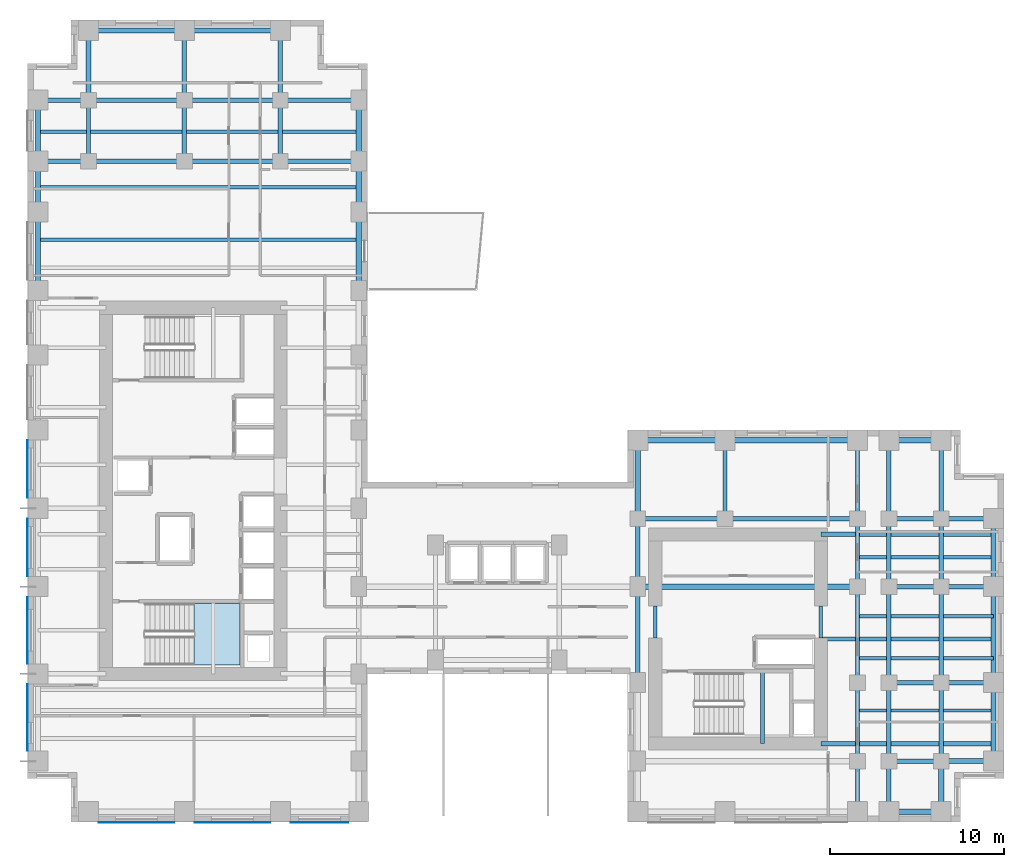
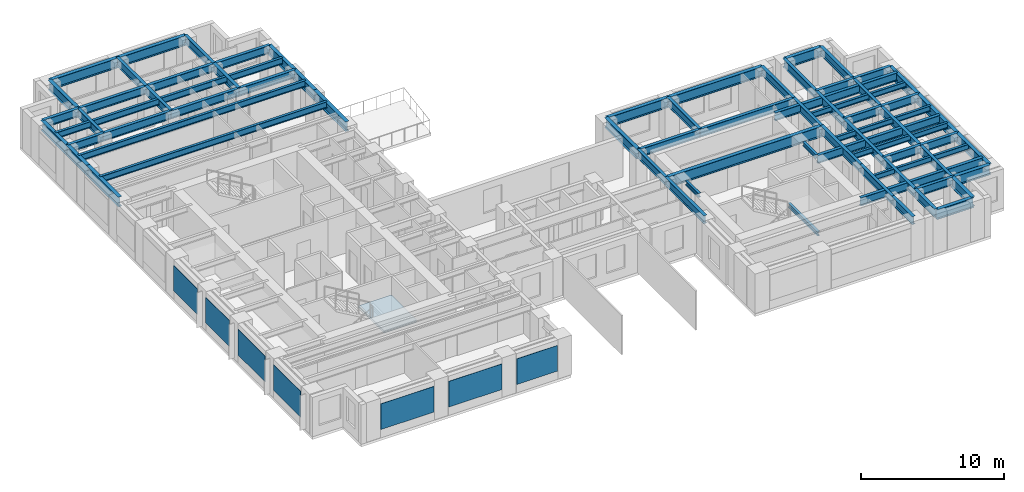
# One storey, part 2 of 11: 72 beams, 7 plates, 1 slab, 1 element without a shape of its own.
"""IFC4 building model written with IfcOpenShell, lengths in metres."""

from ifc_helpers import new_model, si_unit, direction, frame, origin, origin_2d, place, context, subcontext, project, spatial, polyline, rectangle, i_section, outline, extrude, source, transform, mapped, material, layer, layer_set, material_profile, profile_set, type_object, element, aggregate, save


model = new_model("IFC4")

# Units and contexts
model_context = context("Model", 3, precision=1e-05, world=origin(), true_north=direction((0.0, 1.0)))
body_context = subcontext(model_context, "Body", "Model", "MODEL_VIEW")
ifc_project = project(units=[si_unit("LENGTHUNIT", "METRE"), si_unit("AREAUNIT", "SQUARE_METRE"), si_unit("VOLUMEUNIT", "CUBIC_METRE"), si_unit("PLANEANGLEUNIT", "RADIAN"), si_unit("MASSUNIT", "GRAM", prefix="KILO")], contexts=[model_context])

# Site, building, storey
site_placement = place(None, origin())
site = spatial("IfcSite", under=ifc_project, at=site_placement, CompositionType="ELEMENT")
building_placement = place(site_placement, origin())
building = spatial("IfcBuilding", under=site, at=building_placement, Name="Kharzan Plaza Tower", CompositionType="ELEMENT")
storey_placement = place(building_placement, frame((0.0, 0.0, 113.39990234375)))
storey = spatial("IfcBuildingStorey", under=building, at=storey_placement, Name="L30", CompositionType="ELEMENT", Elevation=113.39990234375)

# Beams
ifc_material_1 = material(Name="Steel S355", Category="steel")
ifc_material_profile_1 = material_profile(ifc_material_1, i_section(OverallWidth=0.205078125, OverallDepth=0.35400390625, WebThickness=0.009521484375, FlangeThickness=0.016845703125, at=origin_2d()), Name="W360x79")
ifc_profile_set_1 = profile_set([ifc_material_profile_1], Name="Steel S355")
beam_type_1 = type_object("IfcBeamType", Name="BM-LNT360", PredefinedType="LINTEL", material=ifc_profile_set_1)
shared_shape_1 = source(origin(), body_context, "Body", "SweptSolid", [
    extrude(i_section(OverallWidth=0.205078125, OverallDepth=0.35400390625, WebThickness=0.009521484375, FlangeThickness=0.016845703125, at=origin_2d()), origin(), (0.0, 0.0, 1.0), 1.849853515625),
])
for number, where, z_axis, x_axis, name in (
    (1, (45.5, 10.550048828125, 3.203125), (0.0, 1.0, 0.0), (-1.0, 0.0, 0.0), "L30 CORE-B coupling lintel LN1-WE"),
    (2, (36.0, 10.550048828125, 3.203125), (0.0, 1.0, 0.0), (-1.0, 0.0, 0.0), "L30 CORE-B coupling lintel LN1-WW"),
):
    element("IfcBeam", number, at=place(storey_placement, frame(where, z_axis=z_axis, x_axis=x_axis)), inside=storey, type_object=beam_type_1, Name=name, PredefinedType="LINTEL", context=body_context, shape_type="MappedRepresentation", body=[
        mapped(shared_shape_1, transform((0.0, 0.0, 0.0), x_axis=(1.0, 0.0, 0.0), y_axis=(0.0, 1.0, 0.0), z_axis=(0.0, 0.0, 1.0))),
    ])
shared_shape_2 = source(origin(), body_context, "Body", "SweptSolid", [
    extrude(i_section(OverallWidth=0.205078125, OverallDepth=0.35400390625, WebThickness=0.009521484375, FlangeThickness=0.016845703125, at=origin_2d()), origin(), (0.0, 0.0, 1.0), 4.155029296875),
])
beam_1_placement = place(storey_placement, frame((42.14990234375, 4.5, 1.423095703125), z_axis=(0.0, 1.0, 0.0), x_axis=(-1.0, 0.0, 0.0)))
element("IfcBeam", 3, at=beam_1_placement, inside=storey, type_object=beam_type_1, Name="L30 Stair ST-3 Half-Landing Beam", PredefinedType="LINTEL", context=body_context, shape_type="MappedRepresentation", body=[
    mapped(shared_shape_2, transform((0.0, 0.0, 0.0), x_axis=(1.0, 0.0, 0.0), y_axis=(0.0, 1.0, 0.0), z_axis=(0.0, 0.0, 1.0))),
])
ifc_material_profile_2 = material_profile(ifc_material_1, i_section(OverallWidth=0.304931640625, OverallDepth=0.9189453125, WebThickness=0.017333984375, FlangeThickness=0.02783203125, at=origin_2d()), Name="W920x253")
ifc_profile_set_2 = profile_set([ifc_material_profile_2], Name="Steel S355")
beam_type_2 = type_object("IfcBeamType", Name="BM-FG920B", PredefinedType="BEAM", material=ifc_profile_set_2)
shared_shape_3 = source(origin(), body_context, "Body", "SweptSolid", [
    extrude(i_section(OverallWidth=0.304931640625, OverallDepth=0.9189453125, WebThickness=0.017333984375, FlangeThickness=0.02783203125, at=origin_2d()), origin(), (0.0, 0.0, 1.0), 12.60009765625),
])
beam_2_placement = place(storey_placement, frame((35.0, 13.5, 2.920654296875), z_axis=(1.0, 0.0, 0.0), x_axis=(0.0, 1.0, 0.0)))
element("IfcBeam", 4, at=beam_2_placement, inside=storey, type_object=beam_type_2, Name="L30 Primary Floor Girder", PredefinedType="BEAM", context=body_context, shape_type="MappedRepresentation", body=[
    mapped(shared_shape_3, transform((0.0, 0.0, 0.0), x_axis=(1.0, 0.0, 0.0), y_axis=(0.0, 1.0, 0.0), z_axis=(0.0, 0.0, 1.0))),
])
ifc_material_profile_3 = material_profile(ifc_material_1, i_section(OverallWidth=0.2099609375, OverallDepth=0.537109375, WebThickness=0.010986328125, FlangeThickness=0.017333984375, at=origin_2d()), Name="W530x101")
ifc_profile_set_3 = profile_set([ifc_material_profile_3], Name="Steel S355")
beam_type_3 = type_object("IfcBeamType", Name="BM-JST530B", PredefinedType="JOIST", material=ifc_profile_set_3)
shared_shape_4 = source(origin(), body_context, "Body", "SweptSolid", [
    extrude(i_section(OverallWidth=0.2099609375, OverallDepth=0.537109375, WebThickness=0.010986328125, FlangeThickness=0.017333984375, at=origin_2d()), origin(), (0.0, 0.0, 1.0), 18.39990234375),
])
for number, where, z_axis, x_axis, name in (
    (5, (0.60009765625, 33.39990234375, 3.111572265625), (1.0, 0.0, 0.0), (0.0, 1.0, 0.0), "L30 Wing A Composite Joist 05"),
    (6, (0.60009765625, 36.39990234375, 3.111572265625), (1.0, 0.0, 0.0), (0.0, 1.0, 0.0), "L30 Wing A Composite Joist 06"),
    (7, (0.60009765625, 39.60009765625, 3.111572265625), (1.0, 0.0, 0.0), (0.0, 1.0, 0.0), "L30 Wing A Composite Joist 07"),
):
    element("IfcBeam", number, at=place(storey_placement, frame(where, z_axis=z_axis, x_axis=x_axis)), inside=storey, type_object=beam_type_3, Name=name, PredefinedType="JOIST", context=body_context, shape_type="MappedRepresentation", body=[
        mapped(shared_shape_4, transform((0.0, 0.0, 0.0), x_axis=(1.0, 0.0, 0.0), y_axis=(0.0, 1.0, 0.0), z_axis=(0.0, 0.0, 1.0))),
    ])
ifc_material_profile_4 = material_profile(ifc_material_1, i_section(OverallWidth=0.25390625, OverallDepth=0.68798828125, WebThickness=0.01318359375, FlangeThickness=0.02099609375, at=origin_2d()), Name="W690x152")
ifc_profile_set_4 = profile_set([ifc_material_profile_4], Name="Steel S355")
beam_type_4 = type_object("IfcBeamType", Name="BM-FG690B", PredefinedType="BEAM", material=ifc_profile_set_4)
shared_shape_5 = source(origin(), body_context, "Body", "SweptSolid", [
    extrude(i_section(OverallWidth=0.25390625, OverallDepth=0.68798828125, WebThickness=0.01318359375, FlangeThickness=0.02099609375, at=origin_2d()), origin(), (0.0, 0.0, 1.0), 4.5),
])
for number, where, z_axis, x_axis, name in (
    (8, (40.0, 17.39990234375, 3.0361328125), (0.0, 1.0, 0.0), (-1.0, 0.0, 0.0), "L30 Interior Frame Girder"),
    (9, (47.60009765625, 3.5, 3.0361328125), (0.0, 1.0, 0.0), (-1.0, 0.0, 0.0), "L30 Interior Frame Girder"),
    (10, (47.60009765625, 17.39990234375, 3.0361328125), (0.0, 1.0, 0.0), (-1.0, 0.0, 0.0), "L30 Interior Frame Girder"),
    (11, (49.39990234375, 3.5, 3.0361328125), (0.0, 1.0, 0.0), (-1.0, 0.0, 0.0), "L30 Interior Frame Girder"),
    (12, (49.39990234375, 17.39990234375, 3.0361328125), (0.0, 1.0, 0.0), (-1.0, 0.0, 0.0), "L30 Interior Frame Girder"),
    (13, (52.39990234375, 3.5, 3.0361328125), (0.0, 1.0, 0.0), (-1.0, 0.0, 0.0), "L30 Interior Frame Girder"),
    (14, (52.39990234375, 17.39990234375, 3.0361328125), (0.0, 1.0, 0.0), (-1.0, 0.0, 0.0), "L30 Interior Frame Girder"),
    (15, (14.5, 37.89990234375, 3.0361328125), (1.0, 0.0, 0.0), (0.0, 1.0, 0.0), "L30 Primary Floor Girder"),
    (16, (14.5, 41.39990234375, 3.0361328125), (1.0, 0.0, 0.0), (0.0, 1.0, 0.0), "L30 Primary Floor Girder"),
):
    element("IfcBeam", number, at=place(storey_placement, frame(where, z_axis=z_axis, x_axis=x_axis)), inside=storey, type_object=beam_type_4, Name=name, PredefinedType="BEAM", context=body_context, shape_type="MappedRepresentation", body=[
        mapped(shared_shape_5, transform((0.0, 0.0, 0.0), x_axis=(1.0, 0.0, 0.0), y_axis=(0.0, 1.0, 0.0), z_axis=(0.0, 0.0, 1.0))),
    ])
shared_shape_6 = source(origin(), body_context, "Body", "SweptSolid", [
    extrude(i_section(OverallWidth=0.25390625, OverallDepth=0.68798828125, WebThickness=0.01318359375, FlangeThickness=0.02099609375, at=origin_2d()), origin(), (0.0, 0.0, 1.0), 3.89990234375),
])
for number, where, z_axis, x_axis, name in (
    (17, (35.0, 13.5, 3.0361328125), (0.0, 1.0, 0.0), (-1.0, 0.0, 0.0), "L30 Interior Frame Girder"),
    (18, (47.60009765625, 13.5, 3.0361328125), (0.0, 1.0, 0.0), (-1.0, 0.0, 0.0), "L30 Interior Frame Girder"),
    (19, (49.39990234375, 13.5, 3.0361328125), (0.0, 1.0, 0.0), (-1.0, 0.0, 0.0), "L30 Interior Frame Girder"),
    (20, (52.39990234375, 13.5, 3.0361328125), (0.0, 1.0, 0.0), (-1.0, 0.0, 0.0), "L30 Interior Frame Girder"),
):
    element("IfcBeam", number, at=place(storey_placement, frame(where, z_axis=z_axis, x_axis=x_axis)), inside=storey, type_object=beam_type_4, Name=name, PredefinedType="BEAM", context=body_context, shape_type="MappedRepresentation", body=[
        mapped(shared_shape_6, transform((0.0, 0.0, 0.0), x_axis=(1.0, 0.0, 0.0), y_axis=(0.0, 1.0, 0.0), z_axis=(0.0, 0.0, 1.0))),
    ])
shared_shape_7 = source(origin(), body_context, "Body", "SweptSolid", [
    extrude(i_section(OverallWidth=0.25390625, OverallDepth=0.68798828125, WebThickness=0.01318359375, FlangeThickness=0.02099609375, at=origin_2d()), origin(), (0.0, 0.0, 1.0), 9.89990234375),
])
for number, where, z_axis, x_axis, name in (
    (21, (45.5, 4.5, 3.0361328125), (1.0, 0.0, 0.0), (0.0, 1.0, 0.0), "L30 Core-B East Floor Girder 1"),
    (22, (45.5, 10.5, 3.0361328125), (1.0, 0.0, 0.0), (0.0, 1.0, 0.0), "L30 Core-B East Floor Girder 2"),
    (23, (45.5, 16.5, 3.0361328125), (1.0, 0.0, 0.0), (0.0, 1.0, 0.0), "L30 Core-B East Floor Girder 3"),
):
    element("IfcBeam", number, at=place(storey_placement, frame(where, z_axis=z_axis, x_axis=x_axis)), inside=storey, type_object=beam_type_4, Name=name, PredefinedType="BEAM", context=body_context, shape_type="MappedRepresentation", body=[
        mapped(shared_shape_7, transform((0.0, 0.0, 0.0), x_axis=(1.0, 0.0, 0.0), y_axis=(0.0, 1.0, 0.0), z_axis=(0.0, 0.0, 1.0))),
    ])
shared_shape_8 = source(origin(), body_context, "Body", "SweptSolid", [
    extrude(i_section(OverallWidth=0.25390625, OverallDepth=0.68798828125, WebThickness=0.01318359375, FlangeThickness=0.02099609375, at=origin_2d()), origin(), (0.0, 0.0, 1.0), 3.5),
])
for number, where, z_axis, x_axis, name in (
    (24, (3.5, 37.89990234375, 3.0361328125), (0.0, 1.0, 0.0), (-1.0, 0.0, 0.0), "L30 Interior Frame Girder"),
    (25, (9.0, 37.89990234375, 3.0361328125), (0.0, 1.0, 0.0), (-1.0, 0.0, 0.0), "L30 Interior Frame Girder"),
    (26, (14.5, 37.89990234375, 3.0361328125), (0.0, 1.0, 0.0), (-1.0, 0.0, 0.0), "L30 Interior Frame Girder"),
):
    element("IfcBeam", number, at=place(storey_placement, frame(where, z_axis=z_axis, x_axis=x_axis)), inside=storey, type_object=beam_type_4, Name=name, PredefinedType="BEAM", context=body_context, shape_type="MappedRepresentation", body=[
        mapped(shared_shape_8, transform((0.0, 0.0, 0.0), x_axis=(1.0, 0.0, 0.0), y_axis=(0.0, 1.0, 0.0), z_axis=(0.0, 0.0, 1.0))),
    ])
shared_shape_9 = source(origin(), body_context, "Body", "SweptSolid", [
    extrude(i_section(OverallWidth=0.25390625, OverallDepth=0.68798828125, WebThickness=0.01318359375, FlangeThickness=0.02099609375, at=origin_2d()), origin(), (0.0, 0.0, 1.0), 4.0),
])
for number, where, z_axis, x_axis, name in (
    (27, (9.0, 41.39990234375, 3.0361328125), (0.0, 1.0, 0.0), (-1.0, 0.0, 0.0), "L30 Interior Frame Girder"),
    (28, (14.5, 41.39990234375, 3.0361328125), (0.0, 1.0, 0.0), (-1.0, 0.0, 0.0), "L30 Interior Frame Girder"),
):
    element("IfcBeam", number, at=place(storey_placement, frame(where, z_axis=z_axis, x_axis=x_axis)), inside=storey, type_object=beam_type_4, Name=name, PredefinedType="BEAM", context=body_context, shape_type="MappedRepresentation", body=[
        mapped(shared_shape_9, transform((0.0, 0.0, 0.0), x_axis=(1.0, 0.0, 0.0), y_axis=(0.0, 1.0, 0.0), z_axis=(0.0, 0.0, 1.0))),
    ])
shared_shape_10 = source(origin(), body_context, "Body", "SweptSolid", [
    extrude(i_section(OverallWidth=0.25390625, OverallDepth=0.68798828125, WebThickness=0.01318359375, FlangeThickness=0.02099609375, at=origin_2d()), origin(), (0.0, 0.0, 1.0), 5.0),
])
beam_3_placement = place(storey_placement, frame((35.0, 17.39990234375, 3.0361328125), z_axis=(1.0, 0.0, 0.0), x_axis=(0.0, 1.0, 0.0)))
element("IfcBeam", 29, at=beam_3_placement, inside=storey, type_object=beam_type_4, Name="L30 Primary Floor Girder", PredefinedType="BEAM", context=body_context, shape_type="MappedRepresentation", body=[
    mapped(shared_shape_10, transform((0.0, 0.0, 0.0), x_axis=(1.0, 0.0, 0.0), y_axis=(0.0, 1.0, 0.0), z_axis=(0.0, 0.0, 1.0))),
])
shared_shape_11 = source(origin(), body_context, "Body", "SweptSolid", [
    extrude(i_section(OverallWidth=0.25390625, OverallDepth=0.68798828125, WebThickness=0.01318359375, FlangeThickness=0.02099609375, at=origin_2d()), origin(), (0.0, 0.0, 1.0), 5.5),
])
for number, where, z_axis, x_axis, name in (
    (30, (35.0, 8.0, 3.0361328125), (0.0, 1.0, 0.0), (-1.0, 0.0, 0.0), "L30 Interior Frame Girder"),
    (31, (47.60009765625, 8.0, 3.0361328125), (0.0, 1.0, 0.0), (-1.0, 0.0, 0.0), "L30 Interior Frame Girder"),
    (32, (49.39990234375, 8.0, 3.0361328125), (0.0, 1.0, 0.0), (-1.0, 0.0, 0.0), "L30 Interior Frame Girder"),
    (33, (52.39990234375, 8.0, 3.0361328125), (0.0, 1.0, 0.0), (-1.0, 0.0, 0.0), "L30 Interior Frame Girder"),
    (34, (3.5, 37.89990234375, 3.0361328125), (1.0, 0.0, 0.0), (0.0, 1.0, 0.0), "L30 Primary Floor Girder"),
    (35, (9.0, 37.89990234375, 3.0361328125), (1.0, 0.0, 0.0), (0.0, 1.0, 0.0), "L30 Primary Floor Girder"),
    (36, (3.5, 41.39990234375, 3.0361328125), (1.0, 0.0, 0.0), (0.0, 1.0, 0.0), "L30 Primary Floor Girder"),
    (37, (9.0, 41.39990234375, 3.0361328125), (1.0, 0.0, 0.0), (0.0, 1.0, 0.0), "L30 Primary Floor Girder"),
):
    element("IfcBeam", number, at=place(storey_placement, frame(where, z_axis=z_axis, x_axis=x_axis)), inside=storey, type_object=beam_type_4, Name=name, PredefinedType="BEAM", context=body_context, shape_type="MappedRepresentation", body=[
        mapped(shared_shape_11, transform((0.0, 0.0, 0.0), x_axis=(1.0, 0.0, 0.0), y_axis=(0.0, 1.0, 0.0), z_axis=(0.0, 0.0, 1.0))),
    ])
shared_shape_12 = source(origin(), body_context, "Body", "SweptSolid", [
    extrude(i_section(OverallWidth=0.25390625, OverallDepth=0.68798828125, WebThickness=0.01318359375, FlangeThickness=0.02099609375, at=origin_2d()), origin(), (0.0, 0.0, 1.0), 2.89990234375),
])
for number, where, z_axis, x_axis, name in (
    (38, (47.60009765625, 0.60009765625, 3.0361328125), (0.0, 1.0, 0.0), (-1.0, 0.0, 0.0), "L30 Interior Frame Girder"),
    (39, (49.39990234375, 0.60009765625, 3.0361328125), (0.0, 1.0, 0.0), (-1.0, 0.0, 0.0), "L30 Interior Frame Girder"),
    (40, (0.60009765625, 37.89990234375, 3.0361328125), (1.0, 0.0, 0.0), (0.0, 1.0, 0.0), "L30 Primary Floor Girder"),
    (41, (0.60009765625, 41.39990234375, 3.0361328125), (1.0, 0.0, 0.0), (0.0, 1.0, 0.0), "L30 Primary Floor Girder"),
):
    element("IfcBeam", number, at=place(storey_placement, frame(where, z_axis=z_axis, x_axis=x_axis)), inside=storey, type_object=beam_type_4, Name=name, PredefinedType="BEAM", context=body_context, shape_type="MappedRepresentation", body=[
        mapped(shared_shape_12, transform((0.0, 0.0, 0.0), x_axis=(1.0, 0.0, 0.0), y_axis=(0.0, 1.0, 0.0), z_axis=(0.0, 0.0, 1.0))),
    ])
shared_shape_13 = source(origin(), body_context, "Body", "SweptSolid", [
    extrude(i_section(OverallWidth=0.25390625, OverallDepth=0.68798828125, WebThickness=0.01318359375, FlangeThickness=0.02099609375, at=origin_2d()), origin(), (0.0, 0.0, 1.0), 3.0),
])
for number, where, z_axis, x_axis, name in (
    (42, (49.39990234375, 3.5, 3.0361328125), (1.0, 0.0, 0.0), (0.0, 1.0, 0.0), "L30 Primary Floor Girder"),
    (43, (49.39990234375, 8.0, 3.0361328125), (1.0, 0.0, 0.0), (0.0, 1.0, 0.0), "L30 Primary Floor Girder"),
    (44, (52.39990234375, 8.0, 3.0361328125), (1.0, 0.0, 0.0), (0.0, 1.0, 0.0), "L30 Primary Floor Girder"),
    (45, (49.39990234375, 13.5, 3.0361328125), (1.0, 0.0, 0.0), (0.0, 1.0, 0.0), "L30 Primary Floor Girder"),
    (46, (52.39990234375, 13.5, 3.0361328125), (1.0, 0.0, 0.0), (0.0, 1.0, 0.0), "L30 Primary Floor Girder"),
    (47, (49.39990234375, 17.39990234375, 3.0361328125), (1.0, 0.0, 0.0), (0.0, 1.0, 0.0), "L30 Primary Floor Girder"),
    (48, (52.39990234375, 17.39990234375, 3.0361328125), (1.0, 0.0, 0.0), (0.0, 1.0, 0.0), "L30 Primary Floor Girder"),
):
    element("IfcBeam", number, at=place(storey_placement, frame(where, z_axis=z_axis, x_axis=x_axis)), inside=storey, type_object=beam_type_4, Name=name, PredefinedType="BEAM", context=body_context, shape_type="MappedRepresentation", body=[
        mapped(shared_shape_13, transform((0.0, 0.0, 0.0), x_axis=(1.0, 0.0, 0.0), y_axis=(0.0, 1.0, 0.0), z_axis=(0.0, 0.0, 1.0))),
    ])
shared_shape_14 = source(origin(), body_context, "Body", "SweptSolid", [
    extrude(i_section(OverallWidth=0.25390625, OverallDepth=0.68798828125, WebThickness=0.01318359375, FlangeThickness=0.02099609375, at=origin_2d()), origin(), (0.0, 0.0, 1.0), 7.60009765625),
])
beam_4_placement = place(storey_placement, frame((40.0, 17.39990234375, 3.0361328125), z_axis=(1.0, 0.0, 0.0), x_axis=(0.0, 1.0, 0.0)))
element("IfcBeam", 49, at=beam_4_placement, inside=storey, type_object=beam_type_4, Name="L30 Primary Floor Girder", PredefinedType="BEAM", context=body_context, shape_type="MappedRepresentation", body=[
    mapped(shared_shape_14, transform((0.0, 0.0, 0.0), x_axis=(1.0, 0.0, 0.0), y_axis=(0.0, 1.0, 0.0), z_axis=(0.0, 0.0, 1.0))),
])
ifc_material_profile_5 = material_profile(ifc_material_1, i_section(OverallWidth=0.194091796875, OverallDepth=0.468994140625, WebThickness=0.011474609375, FlangeThickness=0.0205078125, at=origin_2d()), Name="W460x106")
ifc_profile_set_5 = profile_set([ifc_material_profile_5], Name="Steel S355")
beam_type_5 = type_object("IfcBeamType", Name="BM-JST460", PredefinedType="JOIST", material=ifc_profile_set_5)
shared_shape_15 = source(origin(), body_context, "Body", "SweptSolid", [
    extrude(i_section(OverallWidth=0.194091796875, OverallDepth=0.468994140625, WebThickness=0.011474609375, FlangeThickness=0.0205078125, at=origin_2d()), origin(), (0.0, 0.0, 1.0), 7.7998046875),
])
for number, where, z_axis, x_axis, name in (
    (50, (47.60009765625, 6.39990234375, 3.1455078125), (1.0, 0.0, 0.0), (0.0, 1.0, 0.0), "L30 Wing B Composite Joist 02"),
    (51, (47.60009765625, 9.39990234375, 3.1455078125), (1.0, 0.0, 0.0), (0.0, 1.0, 0.0), "L30 Wing B Composite Joist 03"),
    (52, (47.60009765625, 11.800048828125, 3.1455078125), (1.0, 0.0, 0.0), (0.0, 1.0, 0.0), "L30 Wing B Composite Joist 04"),
    (53, (47.60009765625, 15.199951171875, 3.1455078125), (1.0, 0.0, 0.0), (0.0, 1.0, 0.0), "L30 Wing B Composite Joist 05"),
):
    element("IfcBeam", number, at=place(storey_placement, frame(where, z_axis=z_axis, x_axis=x_axis)), inside=storey, type_object=beam_type_5, Name=name, PredefinedType="JOIST", context=body_context, shape_type="MappedRepresentation", body=[
        mapped(shared_shape_15, transform((0.0, 0.0, 0.0), x_axis=(1.0, 0.0, 0.0), y_axis=(0.0, 1.0, 0.0), z_axis=(0.0, 0.0, 1.0))),
    ])
ifc_material_profile_6 = material_profile(ifc_material_1, i_section(OverallWidth=0.299072265625, OverallDepth=0.845947265625, WebThickness=0.015380859375, FlangeThickness=0.0244140625, at=origin_2d()), Name="W840x210")
ifc_profile_set_6 = profile_set([ifc_material_profile_6], Name="Steel S355")
beam_type_6 = type_object("IfcBeamType", Name="BM-SP840B", PredefinedType="SPANDREL", material=ifc_profile_set_6)
shared_shape_16 = source(origin(), body_context, "Body", "SweptSolid", [
    extrude(i_section(OverallWidth=0.299072265625, OverallDepth=0.845947265625, WebThickness=0.015380859375, FlangeThickness=0.0244140625, at=origin_2d()), origin(), (0.0, 0.0, 1.0), 5.0),
])
beam_5_placement = place(storey_placement, frame((35.0, 21.89990234375, 2.95703125), z_axis=(1.0, 0.0, 0.0), x_axis=(0.0, 1.0, 0.0)))
element("IfcBeam", 54, at=beam_5_placement, inside=storey, type_object=beam_type_6, Name="L30 Perimeter Tube Spandrel", PredefinedType="SPANDREL", context=body_context, shape_type="MappedRepresentation", body=[
    mapped(shared_shape_16, transform((0.0, 0.0, 0.0), x_axis=(1.0, 0.0, 0.0), y_axis=(0.0, 1.0, 0.0), z_axis=(0.0, 0.0, 1.0))),
])
shared_shape_17 = source(origin(), body_context, "Body", "SweptSolid", [
    extrude(i_section(OverallWidth=0.299072265625, OverallDepth=0.845947265625, WebThickness=0.015380859375, FlangeThickness=0.0244140625, at=origin_2d()), origin(), (0.0, 0.0, 1.0), 4.5),
])
for number, where, z_axis, x_axis, name in (
    (55, (0.60009765625, 30.5, 2.95703125), (0.0, 1.0, 0.0), (-1.0, 0.0, 0.0), "L30 Perimeter Tube Spandrel"),
    (56, (19.0, 30.5, 2.95703125), (0.0, 1.0, 0.0), (-1.0, 0.0, 0.0), "L30 Perimeter Tube Spandrel"),
    (57, (35.0, 17.39990234375, 2.95703125), (0.0, 1.0, 0.0), (-1.0, 0.0, 0.0), "L30 Perimeter Tube Spandrel"),
    (58, (55.39990234375, 3.5, 2.95703125), (0.0, 1.0, 0.0), (-1.0, 0.0, 0.0), "L30 Perimeter Tube Spandrel"),
):
    element("IfcBeam", number, at=place(storey_placement, frame(where, z_axis=z_axis, x_axis=x_axis)), inside=storey, type_object=beam_type_6, Name=name, PredefinedType="SPANDREL", context=body_context, shape_type="MappedRepresentation", body=[
        mapped(shared_shape_17, transform((0.0, 0.0, 0.0), x_axis=(1.0, 0.0, 0.0), y_axis=(0.0, 1.0, 0.0), z_axis=(0.0, 0.0, 1.0))),
    ])
shared_shape_18 = source(origin(), body_context, "Body", "SweptSolid", [
    extrude(i_section(OverallWidth=0.299072265625, OverallDepth=0.845947265625, WebThickness=0.015380859375, FlangeThickness=0.0244140625, at=origin_2d()), origin(), (0.0, 0.0, 1.0), 2.89990234375),
])
for number, where, z_axis, x_axis, name in (
    (59, (0.60009765625, 35.0, 2.95703125), (0.0, 1.0, 0.0), (-1.0, 0.0, 0.0), "L30 Perimeter Tube Spandrel"),
    (60, (19.0, 35.0, 2.95703125), (0.0, 1.0, 0.0), (-1.0, 0.0, 0.0), "L30 Perimeter Tube Spandrel"),
    (61, (52.39990234375, 0.60009765625, 2.95703125), (0.0, 1.0, 0.0), (-1.0, 0.0, 0.0), "L30 Perimeter Tube Spandrel"),
):
    element("IfcBeam", number, at=place(storey_placement, frame(where, z_axis=z_axis, x_axis=x_axis)), inside=storey, type_object=beam_type_6, Name=name, PredefinedType="SPANDREL", context=body_context, shape_type="MappedRepresentation", body=[
        mapped(shared_shape_18, transform((0.0, 0.0, 0.0), x_axis=(1.0, 0.0, 0.0), y_axis=(0.0, 1.0, 0.0), z_axis=(0.0, 0.0, 1.0))),
    ])
shared_shape_19 = source(origin(), body_context, "Body", "SweptSolid", [
    extrude(i_section(OverallWidth=0.299072265625, OverallDepth=0.845947265625, WebThickness=0.015380859375, FlangeThickness=0.0244140625, at=origin_2d()), origin(), (0.0, 0.0, 1.0), 3.5),
])
for number, where, z_axis, x_axis, name in (
    (62, (0.60009765625, 37.89990234375, 2.95703125), (0.0, 1.0, 0.0), (-1.0, 0.0, 0.0), "L30 Perimeter Tube Spandrel"),
    (63, (19.0, 37.89990234375, 2.95703125), (0.0, 1.0, 0.0), (-1.0, 0.0, 0.0), "L30 Perimeter Tube Spandrel"),
):
    element("IfcBeam", number, at=place(storey_placement, frame(where, z_axis=z_axis, x_axis=x_axis)), inside=storey, type_object=beam_type_6, Name=name, PredefinedType="SPANDREL", context=body_context, shape_type="MappedRepresentation", body=[
        mapped(shared_shape_19, transform((0.0, 0.0, 0.0), x_axis=(1.0, 0.0, 0.0), y_axis=(0.0, 1.0, 0.0), z_axis=(0.0, 0.0, 1.0))),
    ])
shared_shape_20 = source(origin(), body_context, "Body", "SweptSolid", [
    extrude(i_section(OverallWidth=0.299072265625, OverallDepth=0.845947265625, WebThickness=0.015380859375, FlangeThickness=0.0244140625, at=origin_2d()), origin(), (0.0, 0.0, 1.0), 4.0),
])
beam_6_placement = place(storey_placement, frame((3.5, 41.39990234375, 2.95703125), z_axis=(0.0, 1.0, 0.0), x_axis=(-1.0, 0.0, 0.0)))
element("IfcBeam", 64, at=beam_6_placement, inside=storey, type_object=beam_type_6, Name="L30 Perimeter Tube Spandrel", PredefinedType="SPANDREL", context=body_context, shape_type="MappedRepresentation", body=[
    mapped(shared_shape_20, transform((0.0, 0.0, 0.0), x_axis=(1.0, 0.0, 0.0), y_axis=(0.0, 1.0, 0.0), z_axis=(0.0, 0.0, 1.0))),
])
shared_shape_21 = source(origin(), body_context, "Body", "SweptSolid", [
    extrude(i_section(OverallWidth=0.299072265625, OverallDepth=0.845947265625, WebThickness=0.015380859375, FlangeThickness=0.0244140625, at=origin_2d()), origin(), (0.0, 0.0, 1.0), 5.5),
])
for number, where, z_axis, x_axis, name in (
    (65, (55.39990234375, 8.0, 2.95703125), (0.0, 1.0, 0.0), (-1.0, 0.0, 0.0), "L30 Perimeter Tube Spandrel"),
    (66, (3.5, 45.39990234375, 2.95703125), (1.0, 0.0, 0.0), (0.0, 1.0, 0.0), "L30 Perimeter Tube Spandrel"),
    (67, (9.0, 45.39990234375, 2.95703125), (1.0, 0.0, 0.0), (0.0, 1.0, 0.0), "L30 Perimeter Tube Spandrel"),
):
    element("IfcBeam", number, at=place(storey_placement, frame(where, z_axis=z_axis, x_axis=x_axis)), inside=storey, type_object=beam_type_6, Name=name, PredefinedType="SPANDREL", context=body_context, shape_type="MappedRepresentation", body=[
        mapped(shared_shape_21, transform((0.0, 0.0, 0.0), x_axis=(1.0, 0.0, 0.0), y_axis=(0.0, 1.0, 0.0), z_axis=(0.0, 0.0, 1.0))),
    ])
shared_shape_22 = source(origin(), body_context, "Body", "SweptSolid", [
    extrude(i_section(OverallWidth=0.299072265625, OverallDepth=0.845947265625, WebThickness=0.015380859375, FlangeThickness=0.0244140625, at=origin_2d()), origin(), (0.0, 0.0, 1.0), 3.89990234375),
])
beam_7_placement = place(storey_placement, frame((55.39990234375, 13.5, 2.95703125), z_axis=(0.0, 1.0, 0.0), x_axis=(-1.0, 0.0, 0.0)))
element("IfcBeam", 68, at=beam_7_placement, inside=storey, type_object=beam_type_6, Name="L30 Perimeter Tube Spandrel", PredefinedType="SPANDREL", context=body_context, shape_type="MappedRepresentation", body=[
    mapped(shared_shape_22, transform((0.0, 0.0, 0.0), x_axis=(1.0, 0.0, 0.0), y_axis=(0.0, 1.0, 0.0), z_axis=(0.0, 0.0, 1.0))),
])
shared_shape_23 = source(origin(), body_context, "Body", "SweptSolid", [
    extrude(i_section(OverallWidth=0.299072265625, OverallDepth=0.845947265625, WebThickness=0.015380859375, FlangeThickness=0.0244140625, at=origin_2d()), origin(), (0.0, 0.0, 1.0), 7.60009765625),
])
beam_8_placement = place(storey_placement, frame((40.0, 21.89990234375, 2.95703125), z_axis=(1.0, 0.0, 0.0), x_axis=(0.0, 1.0, 0.0)))
element("IfcBeam", 69, at=beam_8_placement, inside=storey, type_object=beam_type_6, Name="L30 Perimeter Tube Spandrel", PredefinedType="SPANDREL", context=body_context, shape_type="MappedRepresentation", body=[
    mapped(shared_shape_23, transform((0.0, 0.0, 0.0), x_axis=(1.0, 0.0, 0.0), y_axis=(0.0, 1.0, 0.0), z_axis=(0.0, 0.0, 1.0))),
])
shared_shape_24 = source(origin(), body_context, "Body", "SweptSolid", [
    extrude(i_section(OverallWidth=0.299072265625, OverallDepth=0.845947265625, WebThickness=0.015380859375, FlangeThickness=0.0244140625, at=origin_2d()), origin(), (0.0, 0.0, 1.0), 3.0),
])
for number, where, z_axis, x_axis, name in (
    (70, (49.39990234375, 0.60009765625, 2.95703125), (1.0, 0.0, 0.0), (0.0, 1.0, 0.0), "L30 Perimeter Tube Spandrel"),
    (71, (52.39990234375, 3.5, 2.95703125), (1.0, 0.0, 0.0), (0.0, 1.0, 0.0), "L30 Perimeter Tube Spandrel"),
    (72, (49.39990234375, 21.89990234375, 2.95703125), (1.0, 0.0, 0.0), (0.0, 1.0, 0.0), "L30 Perimeter Tube Spandrel"),
):
    element("IfcBeam", number, at=place(storey_placement, frame(where, z_axis=z_axis, x_axis=x_axis)), inside=storey, type_object=beam_type_6, Name=name, PredefinedType="SPANDREL", context=body_context, shape_type="MappedRepresentation", body=[
        mapped(shared_shape_24, transform((0.0, 0.0, 0.0), x_axis=(1.0, 0.0, 0.0), y_axis=(0.0, 1.0, 0.0), z_axis=(0.0, 0.0, 1.0))),
    ])

# Stair, slab
ifc_material_2 = material(Name="Concrete C40/50", Category="concrete")
stair_type = type_object("IfcStairType", Name="STR-ST-1", PredefinedType="HALF_TURN_STAIR", material=ifc_material_2)
stair_placement = place(storey_placement, origin())
stair = element("IfcStair", 73, at=stair_placement, inside=storey, type_object=stair_type, Name="L30 Protected Exit Stair ST-1", PredefinedType="HALF_TURN_STAIR")
ifc_layer_1 = layer(ifc_material_2, 0.219970703125)
ifc_layer_set_1 = layer_set([ifc_layer_1], Name="Concrete C40/50")
slab_type = type_object("IfcSlabType", Name="SL-LANDING-220", PredefinedType="LANDING", material=ifc_layer_set_1)
slab_placement = place(storey_placement, frame((0.0, 0.0, 1.60009765625)))
slab = element("IfcSlab", 74, at=slab_placement, type_object=slab_type, Name="ST-1 landing 1", PredefinedType="LANDING", context=body_context, shape_type="SweptSolid", body=[
    extrude(outline(polyline([(9.550048828125, 9.0), (12.199951171875, 9.0), (12.199951171875, 12.550048828125), (9.550048828125, 12.550048828125), (9.550048828125, 9.0)])), origin(), (0.0, 0.0, 1.0), 0.199951171875),
])
aggregate(stair, [slab])

# Plates
ifc_material_3 = material(Name="Perforated Bronze-Anodized Aluminium", Category="aluminium")
ifc_layer_2 = layer(ifc_material_3, 0.030029296875)
ifc_layer_set_2 = layer_set([ifc_layer_2], Name="Perforated Bronze-Anodized Aluminium")
plate_type = type_object("IfcPlateType", Name="PLT-MASH-SCREEN", PredefinedType="SHEET", material=ifc_layer_set_2)
shared_shape_25 = source(origin(), body_context, "Body", "SweptSolid", [
    extrude(rectangle(XDim=3.31396484375, YDim=0.030029296875, at=origin_2d()), origin(), (0.0, 0.0, 1.0), 2.199951171875),
])
for number, where, z_axis, x_axis, name in (
    (75, (-0.012939453125, 20.25, 0.72998046875), (0.0, 0.0, 1.0), (0.0, -1.0, 0.0), "L30 Perforated Mashrabiya Solar Screen"),
    (76, (-0.012939453125, 15.75, 0.72998046875), (0.0, 0.0, 1.0), (0.0, -1.0, 0.0), "L30 Perforated Mashrabiya Solar Screen"),
    (77, (16.75, -0.012939453125, 0.72998046875), (0.0, 0.0, 1.0), (1.0, 0.0, 0.0), "L30 Perforated Mashrabiya Solar Screen"),
):
    element("IfcPlate", number, at=place(storey_placement, frame(where, z_axis=z_axis, x_axis=x_axis)), inside=storey, type_object=plate_type, Name=name, PredefinedType="SHEET", context=body_context, shape_type="MappedRepresentation", body=[
        mapped(shared_shape_25, transform((0.0, 0.0, 0.0), x_axis=(1.0, 0.0, 0.0), y_axis=(0.0, 1.0, 0.0), z_axis=(0.0, 0.0, 1.0))),
    ])
shared_shape_26 = source(origin(), body_context, "Body", "SweptSolid", [
    extrude(rectangle(XDim=3.81396484375, YDim=0.030029296875, at=origin_2d()), origin(), (0.0, 0.0, 1.0), 2.199951171875),
])
for number, where, z_axis, x_axis, name in (
    (78, (-0.012939453125, 11.0, 0.72998046875), (0.0, 0.0, 1.0), (0.0, -1.0, 0.0), "L30 Perforated Mashrabiya Solar Screen"),
    (79, (-0.012939453125, 6.0, 0.72998046875), (0.0, 0.0, 1.0), (0.0, -1.0, 0.0), "L30 Perforated Mashrabiya Solar Screen"),
):
    element("IfcPlate", number, at=place(storey_placement, frame(where, z_axis=z_axis, x_axis=x_axis)), inside=storey, type_object=plate_type, Name=name, PredefinedType="SHEET", context=body_context, shape_type="MappedRepresentation", body=[
        mapped(shared_shape_26, transform((0.0, 0.0, 0.0), x_axis=(1.0, 0.0, 0.0), y_axis=(0.0, 1.0, 0.0), z_axis=(0.0, 0.0, 1.0))),
    ])
shared_shape_27 = source(origin(), body_context, "Body", "SweptSolid", [
    extrude(rectangle(XDim=4.31396484375, YDim=0.030029296875, at=origin_2d()), origin(), (0.0, 0.0, 1.0), 2.199951171875),
])
for number, where, z_axis, x_axis, name in (
    (80, (6.25, -0.012939453125, 0.72998046875), (0.0, 0.0, 1.0), (1.0, 0.0, 0.0), "L30 Perforated Mashrabiya Solar Screen"),
    (81, (11.75, -0.012939453125, 0.72998046875), (0.0, 0.0, 1.0), (1.0, 0.0, 0.0), "L30 Perforated Mashrabiya Solar Screen"),
):
    element("IfcPlate", number, at=place(storey_placement, frame(where, z_axis=z_axis, x_axis=x_axis)), inside=storey, type_object=plate_type, Name=name, PredefinedType="SHEET", context=body_context, shape_type="MappedRepresentation", body=[
        mapped(shared_shape_27, transform((0.0, 0.0, 0.0), x_axis=(1.0, 0.0, 0.0), y_axis=(0.0, 1.0, 0.0), z_axis=(0.0, 0.0, 1.0))),
    ])

save(model, "model.ifc")
